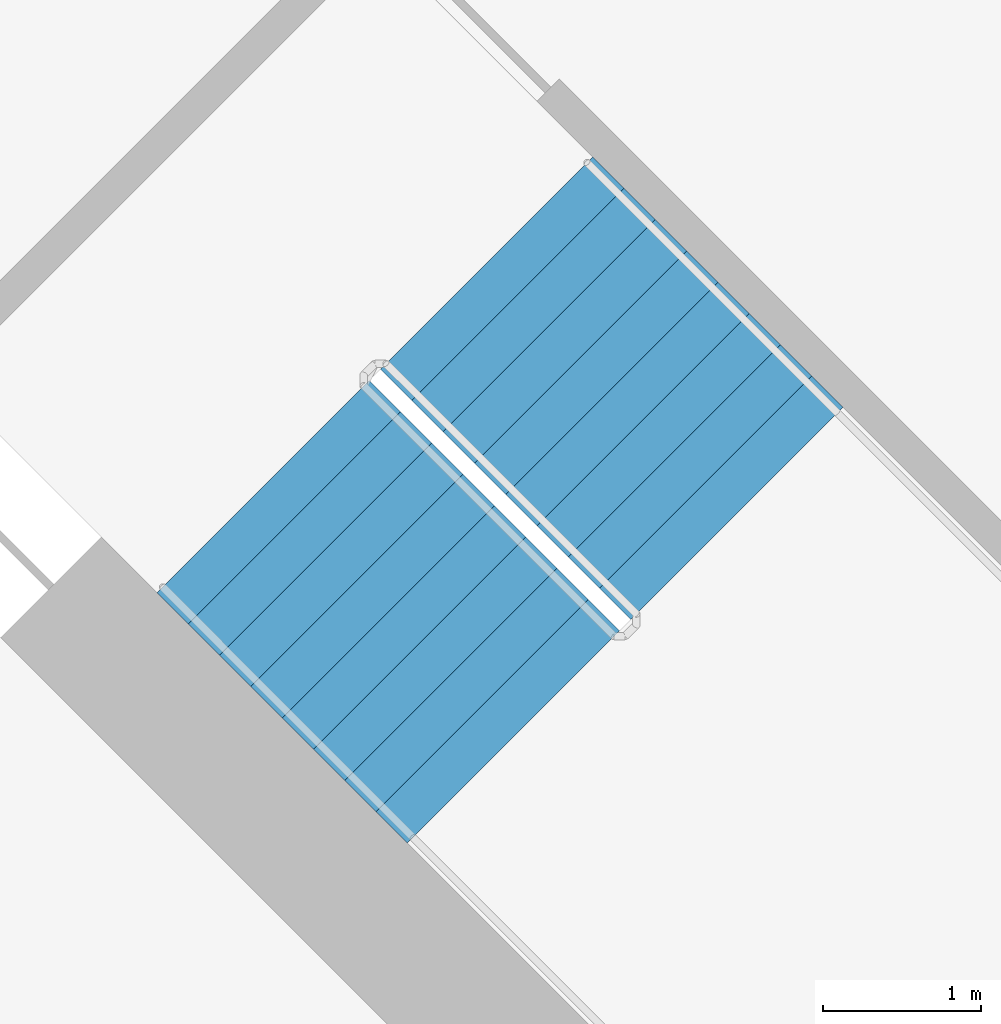
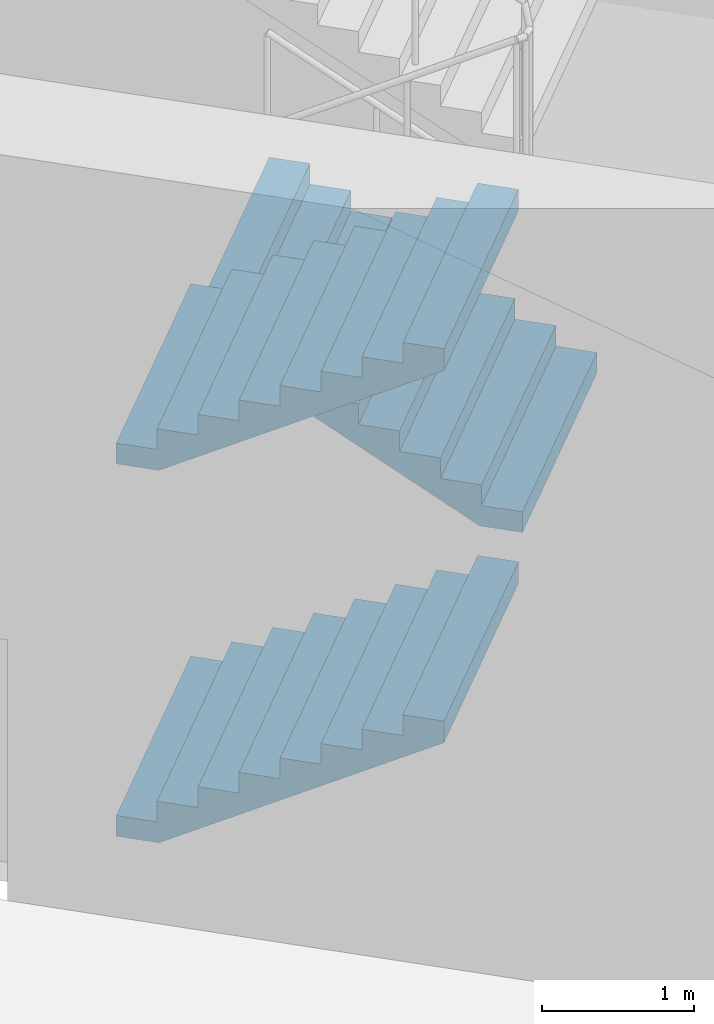
# One storey, part 7 of 12: 3 stair flights, 1 element without a shape of its own.
"""IFC4 building model written with IfcOpenShell, lengths in metres."""

from ifc_helpers import new_model, si_unit, direction, frame, origin, place, context, subcontext, project, spatial, triangles, material, type_object, element, aggregate, save


model = new_model("IFC4")

# Units and contexts
model_context = context("Model", 3, precision=1e-05, world=origin(), true_north=direction((0.0, 1.0)))
body_context = subcontext(model_context, "Body", "Model", "MODEL_VIEW")
ifc_project = project(units=[si_unit("LENGTHUNIT", "METRE"), si_unit("AREAUNIT", "SQUARE_METRE"), si_unit("VOLUMEUNIT", "CUBIC_METRE"), si_unit("PLANEANGLEUNIT", "RADIAN"), si_unit("MASSUNIT", "GRAM", prefix="KILO")], contexts=[model_context])

# Site, building, storey
site_placement = place(None, origin())
site = spatial("IfcSite", under=ifc_project, at=site_placement, CompositionType="ELEMENT")
building_placement = place(site_placement, origin())
building = spatial("IfcBuilding", under=site, at=building_placement, Name="Verdalira Terraces Hotel", CompositionType="ELEMENT")
storey_placement = place(building_placement, frame((0.0, 0.0, 28.0)))
storey = spatial("IfcBuildingStorey", under=building, at=storey_placement, Name="L05", CompositionType="ELEMENT", Elevation=28.0)

# Stair, stair flights
ifc_material_1 = material(Name="Concrete C40", Category="concrete")
stair_type = type_object("IfcStairType", Name="Core stair 36 risers 1900 mm wide", PredefinedType="HALF_TURN_STAIR", material=ifc_material_1)
stair_placement = place(storey_placement, origin())
stair = element("IfcStair", 1, at=stair_placement, inside=storey, type_object=stair_type, Name="L05 Exit stair ST2", PredefinedType="HALF_TURN_STAIR")
ifc_material_2 = material(Name="Concrete C40", Category="concrete")
stair_flight_type = type_object("IfcStairFlightType", Name="Core stair flight 36 risers 1900 mm wide", PredefinedType="STRAIGHT", material=ifc_material_2)
stair_flight_1_placement = place(storey_placement, frame((-10.005615, -7.177246, 0.0), z_axis=(0.0, 0.0, 1.0), x_axis=(0.707106781, -0.707106781, 0.0)))
stair_flight_1 = element("IfcStairFlight", 2, at=stair_flight_1_placement, type_object=stair_flight_type, Name="ST2 flight 1", NumberOfRisers=9, NumberOfTreads=8, PredefinedType="STRAIGHT", RiserHeight=0.166666667, TreadLength=0.28, context=body_context, shape_type="Tessellation", body=[
    triangles([(0.0, 0.949951, 0.0), (0.292969, 0.949951, 0.0), (2.23999, 0.949951, 1.158936), (0.0, -0.949951, 0.0), (0.292969, -0.949951, 0.0), (2.23999, -0.949951, 1.158936), (2.23999, 0.949951, 1.333252), (1.959961, 0.949951, 1.333252), (2.23999, -0.949951, 1.333252), (1.959961, -0.949951, 1.333252), (1.959961, 0.949951, 1.166748), (1.959961, -0.949951, 1.166748), (1.679932, 0.949951, 1.166748), (1.679932, -0.949951, 1.166748), (1.679932, 0.949951, 1.0), (1.679932, -0.949951, 1.0), (1.399902, 0.949951, 1.0), (1.399902, 0.949951, 0.833252), (1.399902, -0.949951, 1.0), (1.399902, -0.949951, 0.833252), (1.120117, 0.949951, 0.833252), (1.120117, 0.949951, 0.666748), (1.120117, -0.949951, 0.833252), (1.120117, -0.949951, 0.666748), (0.840088, 0.949951, 0.666748), (0.840088, 0.949951, 0.5), (0.840088, -0.949951, 0.666748), (0.840088, -0.949951, 0.5), (0.560059, 0.949951, 0.5), (0.560059, 0.949951, 0.333252), (0.560059, -0.949951, 0.5), (0.560059, -0.949951, 0.333252), (0.280029, 0.949951, 0.333252), (0.280029, 0.949951, 0.166748), (0.280029, -0.949951, 0.333252), (0.280029, -0.949951, 0.166748), (0.0, 0.949951, 0.166748), (0.0, -0.949951, 0.166748), (0.0, -0.890579, 0.0), (0.0, -0.890579, 0.166748), (0.0, -0.831207, 0.0), (0.0, -0.831207, 0.166748), (0.0, -0.771835, 0.0), (0.0, -0.771835, 0.166748), (0.0, -0.712463, 0.0), (0.0, -0.712463, 0.166748), (0.0, -0.653091, 0.0), (0.0, -0.653091, 0.166748), (0.0, -0.593719, 0.0), (0.0, -0.593719, 0.166748), (0.0, -0.534348, 0.0), (0.0, -0.534348, 0.166748), (0.0, -0.474976, 0.0), (0.0, -0.474976, 0.166748), (0.0, -0.415604, 0.0), (0.0, -0.415604, 0.166748), (0.0, -0.356232, 0.0), (0.0, -0.356232, 0.166748), (0.0, -0.29686, 0.0), (0.0, -0.29686, 0.166748), (0.0, -0.237488, 0.0), (0.0, -0.237488, 0.166748), (0.0, -0.178116, 0.0), (0.0, -0.178116, 0.166748), (0.0, -0.118744, 0.0), (0.0, -0.118744, 0.166748), (0.0, -0.059372, 0.0), (0.0, -0.059372, 0.166748), (0.0, 0.0, 0.0), (0.0, 0.0, 0.166748), (0.0, 0.059372, 0.0), (0.0, 0.059372, 0.166748), (0.0, 0.118744, 0.0), (0.0, 0.118744, 0.166748), (0.0, 0.178116, 0.0), (0.0, 0.178116, 0.166748), (0.0, 0.237488, 0.0), (0.0, 0.237488, 0.166748), (0.0, 0.29686, 0.0), (0.0, 0.29686, 0.166748), (0.0, 0.356232, 0.0), (0.0, 0.356232, 0.166748), (0.0, 0.415604, 0.0), (0.0, 0.415604, 0.166748), (0.0, 0.474976, 0.0), (0.0, 0.474976, 0.166748), (0.0, 0.534348, 0.0), (0.0, 0.534348, 0.166748), (0.0, 0.593719, 0.0), (0.0, 0.593719, 0.166748), (0.0, 0.653091, 0.0), (0.0, 0.653091, 0.166748), (0.0, 0.712463, 0.0), (0.0, 0.712463, 0.166748), (0.0, 0.771835, 0.0), (0.0, 0.771835, 0.166748), (0.0, 0.831207, 0.0), (0.0, 0.831207, 0.166748), (0.0, 0.890579, 0.0), (0.0, 0.890579, 0.166748), (2.23999, -0.890579, 1.333252), (2.23999, -0.831207, 1.333252), (2.23999, -0.771835, 1.333252), (2.23999, -0.712463, 1.333252), (2.23999, -0.653091, 1.333252), (2.23999, -0.593719, 1.333252), (2.23999, -0.534348, 1.333252), (2.23999, -0.474976, 1.333252), (2.23999, -0.415604, 1.333252), (2.23999, -0.356232, 1.333252), (2.23999, -0.29686, 1.333252), (2.23999, -0.237488, 1.333252), (2.23999, -0.178116, 1.333252), (2.23999, -0.118744, 1.333252), (2.23999, -0.059372, 1.333252), (2.23999, 0.0, 1.333252), (2.23999, 0.059372, 1.333252), (2.23999, 0.118744, 1.333252), (2.23999, 0.178116, 1.333252), (2.23999, 0.237488, 1.333252), (2.23999, 0.29686, 1.333252), (2.23999, 0.356232, 1.333252), (2.23999, 0.415604, 1.333252), (2.23999, 0.474976, 1.333252), (2.23999, 0.534348, 1.333252), (2.23999, 0.593719, 1.333252), (2.23999, 0.653091, 1.333252), (2.23999, 0.712463, 1.333252), (2.23999, 0.771835, 1.333252), (2.23999, 0.831207, 1.333252), (2.23999, 0.890579, 1.333252), (2.23999, -0.890579, 1.158936), (2.23999, -0.831207, 1.158936), (2.23999, -0.771835, 1.158936), (2.23999, -0.712463, 1.158936), (2.23999, -0.653091, 1.158936), (2.23999, -0.593719, 1.158936), (2.23999, -0.534348, 1.158936), (2.23999, -0.474976, 1.158936), (2.23999, -0.415604, 1.158936), (2.23999, -0.356232, 1.158936), (2.23999, -0.29686, 1.158936), (2.23999, -0.237488, 1.158936), (2.23999, -0.178116, 1.158936), (2.23999, -0.118744, 1.158936), (2.23999, -0.059372, 1.158936), (2.23999, 0.0, 1.158936), (2.23999, 0.059372, 1.158936), (2.23999, 0.118744, 1.158936), (2.23999, 0.178116, 1.158936), (2.23999, 0.237488, 1.158936), (2.23999, 0.29686, 1.158936), (2.23999, 0.356232, 1.158936), (2.23999, 0.415604, 1.158936), (2.23999, 0.474976, 1.158936), (2.23999, 0.534348, 1.158936), (2.23999, 0.593719, 1.158936), (2.23999, 0.653091, 1.158936), (2.23999, 0.712463, 1.158936), (2.23999, 0.771835, 1.158936), (2.23999, 0.831207, 1.158936), (2.23999, 0.890579, 1.158936)], [[1, 3, 2], [4, 5, 6], [3, 8, 7], [6, 9, 10], [3, 11, 8], [6, 10, 12], [3, 13, 11], [6, 12, 14], [3, 15, 13], [6, 14, 16], [15, 18, 17], [16, 19, 20], [3, 18, 15], [6, 16, 20], [18, 22, 21], [20, 23, 24], [3, 22, 18], [6, 20, 24], [22, 26, 25], [24, 27, 28], [3, 26, 22], [6, 24, 28], [26, 30, 29], [28, 31, 32], [3, 30, 26], [6, 28, 32], [1, 30, 3], [4, 6, 32], [30, 34, 33], [32, 35, 36], [1, 34, 30], [4, 32, 36], [34, 1, 37], [36, 38, 4], [4, 40, 39], [4, 38, 40], [39, 42, 41], [39, 40, 42], [41, 44, 43], [41, 42, 44], [43, 46, 45], [43, 44, 46], [45, 48, 47], [45, 46, 48], [47, 50, 49], [47, 48, 50], [49, 52, 51], [49, 50, 52], [51, 54, 53], [51, 52, 54], [53, 56, 55], [53, 54, 56], [55, 58, 57], [55, 56, 58], [57, 60, 59], [57, 58, 60], [59, 62, 61], [59, 60, 62], [61, 64, 63], [61, 62, 64], [63, 66, 65], [63, 64, 66], [65, 68, 67], [65, 66, 68], [67, 70, 69], [67, 68, 70], [69, 72, 71], [69, 70, 72], [71, 74, 73], [71, 72, 74], [73, 76, 75], [73, 74, 76], [75, 78, 77], [75, 76, 78], [77, 80, 79], [77, 78, 80], [79, 82, 81], [79, 80, 82], [81, 84, 83], [81, 82, 84], [83, 86, 85], [83, 84, 86], [85, 88, 87], [85, 86, 88], [87, 90, 89], [87, 88, 90], [89, 92, 91], [89, 90, 92], [91, 94, 93], [91, 92, 94], [93, 96, 95], [93, 94, 96], [95, 98, 97], [95, 96, 98], [97, 100, 99], [97, 98, 100], [99, 37, 1], [99, 100, 37], [38, 36, 40], [40, 36, 42], [42, 36, 44], [44, 36, 46], [46, 36, 48], [48, 36, 50], [50, 36, 52], [52, 36, 54], [54, 36, 56], [56, 36, 58], [58, 36, 60], [60, 36, 62], [62, 36, 64], [64, 36, 66], [66, 36, 68], [68, 36, 70], [70, 36, 72], [72, 36, 74], [74, 36, 76], [76, 36, 78], [78, 36, 80], [80, 36, 82], [82, 36, 84], [84, 36, 86], [86, 36, 88], [88, 36, 90], [90, 36, 92], [92, 36, 94], [94, 36, 96], [96, 36, 98], [98, 36, 100], [100, 36, 37], [37, 36, 34], [36, 33, 34], [36, 35, 33], [35, 30, 33], [35, 32, 30], [32, 29, 30], [32, 31, 29], [31, 26, 29], [31, 28, 26], [28, 25, 26], [28, 27, 25], [27, 22, 25], [27, 24, 22], [24, 21, 22], [24, 23, 21], [23, 18, 21], [23, 20, 18], [20, 17, 18], [20, 19, 17], [19, 15, 17], [19, 16, 15], [16, 13, 15], [16, 14, 13], [14, 11, 13], [14, 12, 11], [12, 8, 11], [12, 10, 8], [9, 101, 10], [101, 102, 10], [102, 103, 10], [103, 104, 10], [104, 105, 10], [105, 106, 10], [106, 107, 10], [107, 108, 10], [108, 109, 10], [109, 110, 10], [110, 111, 10], [111, 112, 10], [112, 113, 10], [113, 114, 10], [114, 115, 10], [115, 116, 10], [116, 117, 10], [117, 118, 10], [118, 119, 10], [119, 120, 10], [120, 121, 10], [121, 122, 10], [122, 123, 10], [123, 124, 10], [124, 125, 10], [125, 126, 10], [126, 127, 10], [127, 128, 10], [128, 129, 10], [129, 130, 10], [130, 131, 10], [131, 7, 10], [7, 8, 10], [9, 132, 101], [9, 6, 132], [101, 133, 102], [101, 132, 133], [102, 134, 103], [102, 133, 134], [103, 135, 104], [103, 134, 135], [104, 136, 105], [104, 135, 136], [105, 137, 106], [105, 136, 137], [106, 138, 107], [106, 137, 138], [107, 139, 108], [107, 138, 139], [108, 140, 109], [108, 139, 140], [109, 141, 110], [109, 140, 141], [110, 142, 111], [110, 141, 142], [111, 143, 112], [111, 142, 143], [112, 144, 113], [112, 143, 144], [113, 145, 114], [113, 144, 145], [114, 146, 115], [114, 145, 146], [115, 147, 116], [115, 146, 147], [116, 148, 117], [116, 147, 148], [117, 149, 118], [117, 148, 149], [118, 150, 119], [118, 149, 150], [119, 151, 120], [119, 150, 151], [120, 152, 121], [120, 151, 152], [121, 153, 122], [121, 152, 153], [122, 154, 123], [122, 153, 154], [123, 155, 124], [123, 154, 155], [124, 156, 125], [124, 155, 156], [125, 157, 126], [125, 156, 157], [126, 158, 127], [126, 157, 158], [127, 159, 128], [127, 158, 159], [128, 160, 129], [128, 159, 160], [129, 161, 130], [129, 160, 161], [130, 162, 131], [130, 161, 162], [131, 3, 7], [131, 162, 3], [6, 5, 132], [132, 5, 133], [133, 5, 134], [134, 5, 135], [135, 5, 136], [136, 5, 137], [137, 5, 138], [138, 5, 139], [139, 5, 140], [140, 5, 141], [141, 5, 142], [142, 5, 143], [143, 5, 144], [144, 5, 145], [145, 5, 146], [146, 5, 147], [147, 5, 148], [148, 5, 149], [149, 5, 150], [150, 5, 151], [151, 5, 152], [152, 5, 153], [153, 5, 154], [154, 5, 155], [155, 5, 156], [156, 5, 157], [157, 5, 158], [158, 5, 159], [159, 5, 160], [160, 5, 161], [161, 5, 162], [162, 5, 3], [3, 5, 2], [4, 39, 5], [39, 41, 5], [41, 43, 5], [43, 45, 5], [45, 47, 5], [47, 49, 5], [49, 51, 5], [51, 53, 5], [53, 55, 5], [55, 57, 5], [57, 59, 5], [59, 61, 5], [61, 63, 5], [63, 65, 5], [65, 67, 5], [67, 69, 5], [69, 71, 5], [71, 73, 5], [73, 75, 5], [75, 77, 5], [77, 79, 5], [79, 81, 5], [81, 83, 5], [83, 85, 5], [85, 87, 5], [87, 89, 5], [89, 91, 5], [91, 93, 5], [93, 95, 5], [95, 97, 5], [97, 99, 5], [99, 1, 5], [1, 2, 5]], closed=True),
])
stair_flight_2_placement = place(storey_placement, frame((-7.007324, -7.346924, 1.5), z_axis=(0.0, 0.0, 1.0), x_axis=(-0.707106781, 0.707106781, 0.0)))
stair_flight_2 = element("IfcStairFlight", 3, at=stair_flight_2_placement, type_object=stair_flight_type, Name="ST2 flight 2", NumberOfRisers=9, NumberOfTreads=8, PredefinedType="STRAIGHT", RiserHeight=0.166666667, TreadLength=0.28, context=body_context, shape_type="Tessellation", body=[
    triangles([(0.0, 0.949951, 0.0), (0.292969, 0.949951, 0.0), (2.23999, 0.949951, 1.158936), (0.0, -0.949951, 0.0), (0.292969, -0.949951, 0.0), (2.23999, -0.949951, 1.158936), (2.23999, 0.949951, 1.333252), (1.959961, 0.949951, 1.333252), (2.23999, -0.949951, 1.333252), (1.959961, -0.949951, 1.333252), (1.959961, 0.949951, 1.166748), (1.959961, -0.949951, 1.166748), (1.679932, 0.949951, 1.166748), (1.679932, -0.949951, 1.166748), (1.679932, 0.949951, 1.0), (1.679932, -0.949951, 1.0), (1.399902, 0.949951, 1.0), (1.399902, 0.949951, 0.833252), (1.399902, -0.949951, 1.0), (1.399902, -0.949951, 0.833252), (1.120117, 0.949951, 0.833252), (1.120117, 0.949951, 0.666748), (1.120117, -0.949951, 0.833252), (1.120117, -0.949951, 0.666748), (0.840088, 0.949951, 0.666748), (0.840088, 0.949951, 0.5), (0.840088, -0.949951, 0.666748), (0.840088, -0.949951, 0.5), (0.560059, 0.949951, 0.5), (0.560059, 0.949951, 0.333252), (0.560059, -0.949951, 0.5), (0.560059, -0.949951, 0.333252), (0.280029, 0.949951, 0.333252), (0.280029, 0.949951, 0.166748), (0.280029, -0.949951, 0.333252), (0.280029, -0.949951, 0.166748), (0.0, 0.949951, 0.166748), (0.0, -0.949951, 0.166748), (0.0, -0.890579, 0.0), (0.0, -0.890579, 0.166748), (0.0, -0.831207, 0.0), (0.0, -0.831207, 0.166748), (0.0, -0.771835, 0.0), (0.0, -0.771835, 0.166748), (0.0, -0.712463, 0.0), (0.0, -0.712463, 0.166748), (0.0, -0.653091, 0.0), (0.0, -0.653091, 0.166748), (0.0, -0.593719, 0.0), (0.0, -0.593719, 0.166748), (0.0, -0.534348, 0.0), (0.0, -0.534348, 0.166748), (0.0, -0.474976, 0.0), (0.0, -0.474976, 0.166748), (0.0, -0.415604, 0.0), (0.0, -0.415604, 0.166748), (0.0, -0.356232, 0.0), (0.0, -0.356232, 0.166748), (0.0, -0.29686, 0.0), (0.0, -0.29686, 0.166748), (0.0, -0.237488, 0.0), (0.0, -0.237488, 0.166748), (0.0, -0.178116, 0.0), (0.0, -0.178116, 0.166748), (0.0, -0.118744, 0.0), (0.0, -0.118744, 0.166748), (0.0, -0.059372, 0.0), (0.0, -0.059372, 0.166748), (0.0, 0.0, 0.0), (0.0, 0.0, 0.166748), (0.0, 0.059372, 0.0), (0.0, 0.059372, 0.166748), (0.0, 0.118744, 0.0), (0.0, 0.118744, 0.166748), (0.0, 0.178116, 0.0), (0.0, 0.178116, 0.166748), (0.0, 0.237488, 0.0), (0.0, 0.237488, 0.166748), (0.0, 0.29686, 0.0), (0.0, 0.29686, 0.166748), (0.0, 0.356232, 0.0), (0.0, 0.356232, 0.166748), (0.0, 0.415604, 0.0), (0.0, 0.415604, 0.166748), (0.0, 0.474976, 0.0), (0.0, 0.474976, 0.166748), (0.0, 0.534348, 0.0), (0.0, 0.534348, 0.166748), (0.0, 0.593719, 0.0), (0.0, 0.593719, 0.166748), (0.0, 0.653091, 0.0), (0.0, 0.653091, 0.166748), (0.0, 0.712463, 0.0), (0.0, 0.712463, 0.166748), (0.0, 0.771835, 0.0), (0.0, 0.771835, 0.166748), (0.0, 0.831207, 0.0), (0.0, 0.831207, 0.166748), (0.0, 0.890579, 0.0), (0.0, 0.890579, 0.166748), (2.23999, -0.890579, 1.333252), (2.23999, -0.831207, 1.333252), (2.23999, -0.771835, 1.333252), (2.23999, -0.712463, 1.333252), (2.23999, -0.653091, 1.333252), (2.23999, -0.593719, 1.333252), (2.23999, -0.534348, 1.333252), (2.23999, -0.474976, 1.333252), (2.23999, -0.415604, 1.333252), (2.23999, -0.356232, 1.333252), (2.23999, -0.29686, 1.333252), (2.23999, -0.237488, 1.333252), (2.23999, -0.178116, 1.333252), (2.23999, -0.118744, 1.333252), (2.23999, -0.059372, 1.333252), (2.23999, 0.0, 1.333252), (2.23999, 0.059372, 1.333252), (2.23999, 0.118744, 1.333252), (2.23999, 0.178116, 1.333252), (2.23999, 0.237488, 1.333252), (2.23999, 0.29686, 1.333252), (2.23999, 0.356232, 1.333252), (2.23999, 0.415604, 1.333252), (2.23999, 0.474976, 1.333252), (2.23999, 0.534348, 1.333252), (2.23999, 0.593719, 1.333252), (2.23999, 0.653091, 1.333252), (2.23999, 0.712463, 1.333252), (2.23999, 0.771835, 1.333252), (2.23999, 0.831207, 1.333252), (2.23999, 0.890579, 1.333252), (2.23999, -0.890579, 1.158936), (2.23999, -0.831207, 1.158936), (2.23999, -0.771835, 1.158936), (2.23999, -0.712463, 1.158936), (2.23999, -0.653091, 1.158936), (2.23999, -0.593719, 1.158936), (2.23999, -0.534348, 1.158936), (2.23999, -0.474976, 1.158936), (2.23999, -0.415604, 1.158936), (2.23999, -0.356232, 1.158936), (2.23999, -0.29686, 1.158936), (2.23999, -0.237488, 1.158936), (2.23999, -0.178116, 1.158936), (2.23999, -0.118744, 1.158936), (2.23999, -0.059372, 1.158936), (2.23999, 0.0, 1.158936), (2.23999, 0.059372, 1.158936), (2.23999, 0.118744, 1.158936), (2.23999, 0.178116, 1.158936), (2.23999, 0.237488, 1.158936), (2.23999, 0.29686, 1.158936), (2.23999, 0.356232, 1.158936), (2.23999, 0.415604, 1.158936), (2.23999, 0.474976, 1.158936), (2.23999, 0.534348, 1.158936), (2.23999, 0.593719, 1.158936), (2.23999, 0.653091, 1.158936), (2.23999, 0.712463, 1.158936), (2.23999, 0.771835, 1.158936), (2.23999, 0.831207, 1.158936), (2.23999, 0.890579, 1.158936)], [[1, 3, 2], [4, 5, 6], [3, 8, 7], [6, 9, 10], [3, 11, 8], [6, 10, 12], [3, 13, 11], [6, 12, 14], [3, 15, 13], [6, 14, 16], [15, 18, 17], [16, 19, 20], [3, 18, 15], [6, 16, 20], [18, 22, 21], [20, 23, 24], [3, 22, 18], [6, 20, 24], [22, 26, 25], [24, 27, 28], [3, 26, 22], [6, 24, 28], [26, 30, 29], [28, 31, 32], [3, 30, 26], [6, 28, 32], [1, 30, 3], [4, 6, 32], [30, 34, 33], [32, 35, 36], [1, 34, 30], [4, 32, 36], [34, 1, 37], [36, 38, 4], [4, 40, 39], [4, 38, 40], [39, 42, 41], [39, 40, 42], [41, 44, 43], [41, 42, 44], [43, 46, 45], [43, 44, 46], [45, 48, 47], [45, 46, 48], [47, 50, 49], [47, 48, 50], [49, 52, 51], [49, 50, 52], [51, 54, 53], [51, 52, 54], [53, 56, 55], [53, 54, 56], [55, 58, 57], [55, 56, 58], [57, 60, 59], [57, 58, 60], [59, 62, 61], [59, 60, 62], [61, 64, 63], [61, 62, 64], [63, 66, 65], [63, 64, 66], [65, 68, 67], [65, 66, 68], [67, 70, 69], [67, 68, 70], [69, 72, 71], [69, 70, 72], [71, 74, 73], [71, 72, 74], [73, 76, 75], [73, 74, 76], [75, 78, 77], [75, 76, 78], [77, 80, 79], [77, 78, 80], [79, 82, 81], [79, 80, 82], [81, 84, 83], [81, 82, 84], [83, 86, 85], [83, 84, 86], [85, 88, 87], [85, 86, 88], [87, 90, 89], [87, 88, 90], [89, 92, 91], [89, 90, 92], [91, 94, 93], [91, 92, 94], [93, 96, 95], [93, 94, 96], [95, 98, 97], [95, 96, 98], [97, 100, 99], [97, 98, 100], [99, 37, 1], [99, 100, 37], [38, 36, 40], [40, 36, 42], [42, 36, 44], [44, 36, 46], [46, 36, 48], [48, 36, 50], [50, 36, 52], [52, 36, 54], [54, 36, 56], [56, 36, 58], [58, 36, 60], [60, 36, 62], [62, 36, 64], [64, 36, 66], [66, 36, 68], [68, 36, 70], [70, 36, 72], [72, 36, 74], [74, 36, 76], [76, 36, 78], [78, 36, 80], [80, 36, 82], [82, 36, 84], [84, 36, 86], [86, 36, 88], [88, 36, 90], [90, 36, 92], [92, 36, 94], [94, 36, 96], [96, 36, 98], [98, 36, 100], [100, 36, 37], [37, 36, 34], [36, 33, 34], [36, 35, 33], [35, 30, 33], [35, 32, 30], [32, 29, 30], [32, 31, 29], [31, 26, 29], [31, 28, 26], [28, 25, 26], [28, 27, 25], [27, 22, 25], [27, 24, 22], [24, 21, 22], [24, 23, 21], [23, 18, 21], [23, 20, 18], [20, 17, 18], [20, 19, 17], [19, 15, 17], [19, 16, 15], [16, 13, 15], [16, 14, 13], [14, 11, 13], [14, 12, 11], [12, 8, 11], [12, 10, 8], [9, 101, 10], [101, 102, 10], [102, 103, 10], [103, 104, 10], [104, 105, 10], [105, 106, 10], [106, 107, 10], [107, 108, 10], [108, 109, 10], [109, 110, 10], [110, 111, 10], [111, 112, 10], [112, 113, 10], [113, 114, 10], [114, 115, 10], [115, 116, 10], [116, 117, 10], [117, 118, 10], [118, 119, 10], [119, 120, 10], [120, 121, 10], [121, 122, 10], [122, 123, 10], [123, 124, 10], [124, 125, 10], [125, 126, 10], [126, 127, 10], [127, 128, 10], [128, 129, 10], [129, 130, 10], [130, 131, 10], [131, 7, 10], [7, 8, 10], [9, 132, 101], [9, 6, 132], [101, 133, 102], [101, 132, 133], [102, 134, 103], [102, 133, 134], [103, 135, 104], [103, 134, 135], [104, 136, 105], [104, 135, 136], [105, 137, 106], [105, 136, 137], [106, 138, 107], [106, 137, 138], [107, 139, 108], [107, 138, 139], [108, 140, 109], [108, 139, 140], [109, 141, 110], [109, 140, 141], [110, 142, 111], [110, 141, 142], [111, 143, 112], [111, 142, 143], [112, 144, 113], [112, 143, 144], [113, 145, 114], [113, 144, 145], [114, 146, 115], [114, 145, 146], [115, 147, 116], [115, 146, 147], [116, 148, 117], [116, 147, 148], [117, 149, 118], [117, 148, 149], [118, 150, 119], [118, 149, 150], [119, 151, 120], [119, 150, 151], [120, 152, 121], [120, 151, 152], [121, 153, 122], [121, 152, 153], [122, 154, 123], [122, 153, 154], [123, 155, 124], [123, 154, 155], [124, 156, 125], [124, 155, 156], [125, 157, 126], [125, 156, 157], [126, 158, 127], [126, 157, 158], [127, 159, 128], [127, 158, 159], [128, 160, 129], [128, 159, 160], [129, 161, 130], [129, 160, 161], [130, 162, 131], [130, 161, 162], [131, 3, 7], [131, 162, 3], [6, 5, 132], [132, 5, 133], [133, 5, 134], [134, 5, 135], [135, 5, 136], [136, 5, 137], [137, 5, 138], [138, 5, 139], [139, 5, 140], [140, 5, 141], [141, 5, 142], [142, 5, 143], [143, 5, 144], [144, 5, 145], [145, 5, 146], [146, 5, 147], [147, 5, 148], [148, 5, 149], [149, 5, 150], [150, 5, 151], [151, 5, 152], [152, 5, 153], [153, 5, 154], [154, 5, 155], [155, 5, 156], [156, 5, 157], [157, 5, 158], [158, 5, 159], [159, 5, 160], [160, 5, 161], [161, 5, 162], [162, 5, 3], [3, 5, 2], [4, 39, 5], [39, 41, 5], [41, 43, 5], [43, 45, 5], [45, 47, 5], [47, 49, 5], [49, 51, 5], [51, 53, 5], [53, 55, 5], [55, 57, 5], [57, 59, 5], [59, 61, 5], [61, 63, 5], [63, 65, 5], [65, 67, 5], [67, 69, 5], [69, 71, 5], [71, 73, 5], [73, 75, 5], [75, 77, 5], [77, 79, 5], [79, 81, 5], [81, 83, 5], [83, 85, 5], [85, 87, 5], [87, 89, 5], [89, 91, 5], [91, 93, 5], [93, 95, 5], [95, 97, 5], [97, 99, 5], [99, 1, 5], [1, 2, 5]], closed=True),
])
stair_flight_3_placement = place(storey_placement, frame((-10.005615, -7.177246, 3.0), z_axis=(0.0, 0.0, 1.0), x_axis=(0.707106781, -0.707106781, 0.0)))
stair_flight_3 = element("IfcStairFlight", 4, at=stair_flight_3_placement, type_object=stair_flight_type, Name="ST2 flight 3", NumberOfRisers=9, NumberOfTreads=8, PredefinedType="STRAIGHT", RiserHeight=0.166666667, TreadLength=0.28, context=body_context, shape_type="Tessellation", body=[
    triangles([(0.0, 0.949951, 0.0), (0.292969, 0.949951, 0.0), (2.23999, 0.949951, 1.158936), (0.0, -0.949951, 0.0), (0.292969, -0.949951, 0.0), (2.23999, -0.949951, 1.158936), (2.23999, 0.949951, 1.333252), (1.959961, 0.949951, 1.333252), (2.23999, -0.949951, 1.333252), (1.959961, -0.949951, 1.333252), (1.959961, 0.949951, 1.166748), (1.959961, -0.949951, 1.166748), (1.679932, 0.949951, 1.166748), (1.679932, -0.949951, 1.166748), (1.679932, 0.949951, 1.0), (1.679932, -0.949951, 1.0), (1.399902, 0.949951, 1.0), (1.399902, 0.949951, 0.833252), (1.399902, -0.949951, 1.0), (1.399902, -0.949951, 0.833252), (1.120117, 0.949951, 0.833252), (1.120117, 0.949951, 0.666748), (1.120117, -0.949951, 0.833252), (1.120117, -0.949951, 0.666748), (0.840088, 0.949951, 0.666748), (0.840088, 0.949951, 0.5), (0.840088, -0.949951, 0.666748), (0.840088, -0.949951, 0.5), (0.560059, 0.949951, 0.5), (0.560059, 0.949951, 0.333252), (0.560059, -0.949951, 0.5), (0.560059, -0.949951, 0.333252), (0.280029, 0.949951, 0.333252), (0.280029, 0.949951, 0.166748), (0.280029, -0.949951, 0.333252), (0.280029, -0.949951, 0.166748), (0.0, 0.949951, 0.166748), (0.0, -0.949951, 0.166748), (0.0, -0.890579, 0.0), (0.0, -0.890579, 0.166748), (0.0, -0.831207, 0.0), (0.0, -0.831207, 0.166748), (0.0, -0.771835, 0.0), (0.0, -0.771835, 0.166748), (0.0, -0.712463, 0.0), (0.0, -0.712463, 0.166748), (0.0, -0.653091, 0.0), (0.0, -0.653091, 0.166748), (0.0, -0.593719, 0.0), (0.0, -0.593719, 0.166748), (0.0, -0.534348, 0.0), (0.0, -0.534348, 0.166748), (0.0, -0.474976, 0.0), (0.0, -0.474976, 0.166748), (0.0, -0.415604, 0.0), (0.0, -0.415604, 0.166748), (0.0, -0.356232, 0.0), (0.0, -0.356232, 0.166748), (0.0, -0.29686, 0.0), (0.0, -0.29686, 0.166748), (0.0, -0.237488, 0.0), (0.0, -0.237488, 0.166748), (0.0, -0.178116, 0.0), (0.0, -0.178116, 0.166748), (0.0, -0.118744, 0.0), (0.0, -0.118744, 0.166748), (0.0, -0.059372, 0.0), (0.0, -0.059372, 0.166748), (0.0, 0.0, 0.0), (0.0, 0.0, 0.166748), (0.0, 0.059372, 0.0), (0.0, 0.059372, 0.166748), (0.0, 0.118744, 0.0), (0.0, 0.118744, 0.166748), (0.0, 0.178116, 0.0), (0.0, 0.178116, 0.166748), (0.0, 0.237488, 0.0), (0.0, 0.237488, 0.166748), (0.0, 0.29686, 0.0), (0.0, 0.29686, 0.166748), (0.0, 0.356232, 0.0), (0.0, 0.356232, 0.166748), (0.0, 0.415604, 0.0), (0.0, 0.415604, 0.166748), (0.0, 0.474976, 0.0), (0.0, 0.474976, 0.166748), (0.0, 0.534348, 0.0), (0.0, 0.534348, 0.166748), (0.0, 0.593719, 0.0), (0.0, 0.593719, 0.166748), (0.0, 0.653091, 0.0), (0.0, 0.653091, 0.166748), (0.0, 0.712463, 0.0), (0.0, 0.712463, 0.166748), (0.0, 0.771835, 0.0), (0.0, 0.771835, 0.166748), (0.0, 0.831207, 0.0), (0.0, 0.831207, 0.166748), (0.0, 0.890579, 0.0), (0.0, 0.890579, 0.166748), (2.23999, -0.890579, 1.333252), (2.23999, -0.831207, 1.333252), (2.23999, -0.771835, 1.333252), (2.23999, -0.712463, 1.333252), (2.23999, -0.653091, 1.333252), (2.23999, -0.593719, 1.333252), (2.23999, -0.534348, 1.333252), (2.23999, -0.474976, 1.333252), (2.23999, -0.415604, 1.333252), (2.23999, -0.356232, 1.333252), (2.23999, -0.29686, 1.333252), (2.23999, -0.237488, 1.333252), (2.23999, -0.178116, 1.333252), (2.23999, -0.118744, 1.333252), (2.23999, -0.059372, 1.333252), (2.23999, 0.0, 1.333252), (2.23999, 0.059372, 1.333252), (2.23999, 0.118744, 1.333252), (2.23999, 0.178116, 1.333252), (2.23999, 0.237488, 1.333252), (2.23999, 0.29686, 1.333252), (2.23999, 0.356232, 1.333252), (2.23999, 0.415604, 1.333252), (2.23999, 0.474976, 1.333252), (2.23999, 0.534348, 1.333252), (2.23999, 0.593719, 1.333252), (2.23999, 0.653091, 1.333252), (2.23999, 0.712463, 1.333252), (2.23999, 0.771835, 1.333252), (2.23999, 0.831207, 1.333252), (2.23999, 0.890579, 1.333252), (2.23999, -0.890579, 1.158936), (2.23999, -0.831207, 1.158936), (2.23999, -0.771835, 1.158936), (2.23999, -0.712463, 1.158936), (2.23999, -0.653091, 1.158936), (2.23999, -0.593719, 1.158936), (2.23999, -0.534348, 1.158936), (2.23999, -0.474976, 1.158936), (2.23999, -0.415604, 1.158936), (2.23999, -0.356232, 1.158936), (2.23999, -0.29686, 1.158936), (2.23999, -0.237488, 1.158936), (2.23999, -0.178116, 1.158936), (2.23999, -0.118744, 1.158936), (2.23999, -0.059372, 1.158936), (2.23999, 0.0, 1.158936), (2.23999, 0.059372, 1.158936), (2.23999, 0.118744, 1.158936), (2.23999, 0.178116, 1.158936), (2.23999, 0.237488, 1.158936), (2.23999, 0.29686, 1.158936), (2.23999, 0.356232, 1.158936), (2.23999, 0.415604, 1.158936), (2.23999, 0.474976, 1.158936), (2.23999, 0.534348, 1.158936), (2.23999, 0.593719, 1.158936), (2.23999, 0.653091, 1.158936), (2.23999, 0.712463, 1.158936), (2.23999, 0.771835, 1.158936), (2.23999, 0.831207, 1.158936), (2.23999, 0.890579, 1.158936)], [[1, 3, 2], [4, 5, 6], [3, 8, 7], [6, 9, 10], [3, 11, 8], [6, 10, 12], [3, 13, 11], [6, 12, 14], [3, 15, 13], [6, 14, 16], [15, 18, 17], [16, 19, 20], [3, 18, 15], [6, 16, 20], [18, 22, 21], [20, 23, 24], [3, 22, 18], [6, 20, 24], [22, 26, 25], [24, 27, 28], [3, 26, 22], [6, 24, 28], [26, 30, 29], [28, 31, 32], [3, 30, 26], [6, 28, 32], [1, 30, 3], [4, 6, 32], [30, 34, 33], [32, 35, 36], [1, 34, 30], [4, 32, 36], [34, 1, 37], [36, 38, 4], [4, 40, 39], [4, 38, 40], [39, 42, 41], [39, 40, 42], [41, 44, 43], [41, 42, 44], [43, 46, 45], [43, 44, 46], [45, 48, 47], [45, 46, 48], [47, 50, 49], [47, 48, 50], [49, 52, 51], [49, 50, 52], [51, 54, 53], [51, 52, 54], [53, 56, 55], [53, 54, 56], [55, 58, 57], [55, 56, 58], [57, 60, 59], [57, 58, 60], [59, 62, 61], [59, 60, 62], [61, 64, 63], [61, 62, 64], [63, 66, 65], [63, 64, 66], [65, 68, 67], [65, 66, 68], [67, 70, 69], [67, 68, 70], [69, 72, 71], [69, 70, 72], [71, 74, 73], [71, 72, 74], [73, 76, 75], [73, 74, 76], [75, 78, 77], [75, 76, 78], [77, 80, 79], [77, 78, 80], [79, 82, 81], [79, 80, 82], [81, 84, 83], [81, 82, 84], [83, 86, 85], [83, 84, 86], [85, 88, 87], [85, 86, 88], [87, 90, 89], [87, 88, 90], [89, 92, 91], [89, 90, 92], [91, 94, 93], [91, 92, 94], [93, 96, 95], [93, 94, 96], [95, 98, 97], [95, 96, 98], [97, 100, 99], [97, 98, 100], [99, 37, 1], [99, 100, 37], [38, 36, 40], [40, 36, 42], [42, 36, 44], [44, 36, 46], [46, 36, 48], [48, 36, 50], [50, 36, 52], [52, 36, 54], [54, 36, 56], [56, 36, 58], [58, 36, 60], [60, 36, 62], [62, 36, 64], [64, 36, 66], [66, 36, 68], [68, 36, 70], [70, 36, 72], [72, 36, 74], [74, 36, 76], [76, 36, 78], [78, 36, 80], [80, 36, 82], [82, 36, 84], [84, 36, 86], [86, 36, 88], [88, 36, 90], [90, 36, 92], [92, 36, 94], [94, 36, 96], [96, 36, 98], [98, 36, 100], [100, 36, 37], [37, 36, 34], [36, 33, 34], [36, 35, 33], [35, 30, 33], [35, 32, 30], [32, 29, 30], [32, 31, 29], [31, 26, 29], [31, 28, 26], [28, 25, 26], [28, 27, 25], [27, 22, 25], [27, 24, 22], [24, 21, 22], [24, 23, 21], [23, 18, 21], [23, 20, 18], [20, 17, 18], [20, 19, 17], [19, 15, 17], [19, 16, 15], [16, 13, 15], [16, 14, 13], [14, 11, 13], [14, 12, 11], [12, 8, 11], [12, 10, 8], [9, 101, 10], [101, 102, 10], [102, 103, 10], [103, 104, 10], [104, 105, 10], [105, 106, 10], [106, 107, 10], [107, 108, 10], [108, 109, 10], [109, 110, 10], [110, 111, 10], [111, 112, 10], [112, 113, 10], [113, 114, 10], [114, 115, 10], [115, 116, 10], [116, 117, 10], [117, 118, 10], [118, 119, 10], [119, 120, 10], [120, 121, 10], [121, 122, 10], [122, 123, 10], [123, 124, 10], [124, 125, 10], [125, 126, 10], [126, 127, 10], [127, 128, 10], [128, 129, 10], [129, 130, 10], [130, 131, 10], [131, 7, 10], [7, 8, 10], [9, 132, 101], [9, 6, 132], [101, 133, 102], [101, 132, 133], [102, 134, 103], [102, 133, 134], [103, 135, 104], [103, 134, 135], [104, 136, 105], [104, 135, 136], [105, 137, 106], [105, 136, 137], [106, 138, 107], [106, 137, 138], [107, 139, 108], [107, 138, 139], [108, 140, 109], [108, 139, 140], [109, 141, 110], [109, 140, 141], [110, 142, 111], [110, 141, 142], [111, 143, 112], [111, 142, 143], [112, 144, 113], [112, 143, 144], [113, 145, 114], [113, 144, 145], [114, 146, 115], [114, 145, 146], [115, 147, 116], [115, 146, 147], [116, 148, 117], [116, 147, 148], [117, 149, 118], [117, 148, 149], [118, 150, 119], [118, 149, 150], [119, 151, 120], [119, 150, 151], [120, 152, 121], [120, 151, 152], [121, 153, 122], [121, 152, 153], [122, 154, 123], [122, 153, 154], [123, 155, 124], [123, 154, 155], [124, 156, 125], [124, 155, 156], [125, 157, 126], [125, 156, 157], [126, 158, 127], [126, 157, 158], [127, 159, 128], [127, 158, 159], [128, 160, 129], [128, 159, 160], [129, 161, 130], [129, 160, 161], [130, 162, 131], [130, 161, 162], [131, 3, 7], [131, 162, 3], [6, 5, 132], [132, 5, 133], [133, 5, 134], [134, 5, 135], [135, 5, 136], [136, 5, 137], [137, 5, 138], [138, 5, 139], [139, 5, 140], [140, 5, 141], [141, 5, 142], [142, 5, 143], [143, 5, 144], [144, 5, 145], [145, 5, 146], [146, 5, 147], [147, 5, 148], [148, 5, 149], [149, 5, 150], [150, 5, 151], [151, 5, 152], [152, 5, 153], [153, 5, 154], [154, 5, 155], [155, 5, 156], [156, 5, 157], [157, 5, 158], [158, 5, 159], [159, 5, 160], [160, 5, 161], [161, 5, 162], [162, 5, 3], [3, 5, 2], [4, 39, 5], [39, 41, 5], [41, 43, 5], [43, 45, 5], [45, 47, 5], [47, 49, 5], [49, 51, 5], [51, 53, 5], [53, 55, 5], [55, 57, 5], [57, 59, 5], [59, 61, 5], [61, 63, 5], [63, 65, 5], [65, 67, 5], [67, 69, 5], [69, 71, 5], [71, 73, 5], [73, 75, 5], [75, 77, 5], [77, 79, 5], [79, 81, 5], [81, 83, 5], [83, 85, 5], [85, 87, 5], [87, 89, 5], [89, 91, 5], [91, 93, 5], [93, 95, 5], [95, 97, 5], [97, 99, 5], [99, 1, 5], [1, 2, 5]], closed=True),
])
aggregate(stair, [stair_flight_1, stair_flight_2, stair_flight_3])

save(model, "model.ifc")
